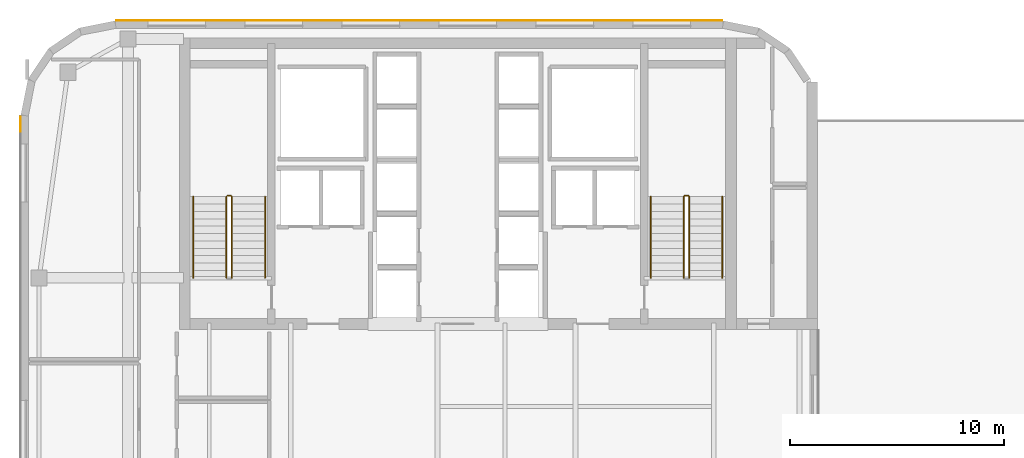
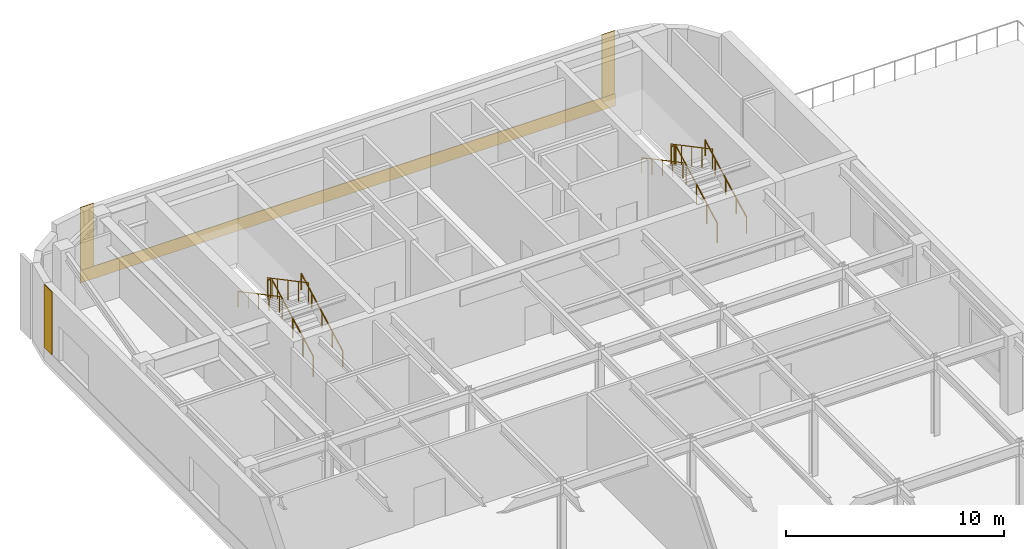
# One storey, part 10 of 10: 10 railings, 4 coverings.
"""IFC4 building model written with IfcOpenShell, lengths in metres."""

from ifc_helpers import new_model, si_unit, direction, frame, origin, origin_2d, place, context, subcontext, project, spatial, polyline, circle, outline, extrude, material, layer, layer_set, type_object, element, save


model = new_model("IFC4")

# Units and contexts
model_context = context("Model", 3, precision=1e-05, world=origin(), true_north=direction((0.0, 1.0)))
body_context = subcontext(model_context, "Body", "Model", "MODEL_VIEW")
ifc_project = project(units=[si_unit("LENGTHUNIT", "METRE"), si_unit("AREAUNIT", "SQUARE_METRE"), si_unit("VOLUMEUNIT", "CUBIC_METRE"), si_unit("PLANEANGLEUNIT", "RADIAN"), si_unit("MASSUNIT", "GRAM", prefix="KILO")], contexts=[model_context])

# Site, building, storey
site_placement = place(None, origin())
site = spatial("IfcSite", under=ifc_project, at=site_placement, CompositionType="ELEMENT")
building_placement = place(site_placement, origin())
building = spatial("IfcBuilding", under=site, at=building_placement, Name="Tolvann Quenvar Hotel", CompositionType="ELEMENT")
storey_placement = place(building_placement, frame((0.0, 0.0, 205.300048828125)))
storey = spatial("IfcBuildingStorey", under=building, at=storey_placement, Name="L54", CompositionType="ELEMENT", Elevation=205.300048828125)

# Coverings
ifc_material_1 = material(Name="Kiln-fired red architectural face brick cladding", Category="masonry")
ifc_layer_1 = layer(ifc_material_1, 0.0400390625)
ifc_layer_set_1 = layer_set([ifc_layer_1], Name="Kiln-fired red architectural face brick cladding")
covering_type_1 = type_object("IfcCoveringType", Name="COV_CLAD_BRICK_40", PredefinedType="CLADDING", material=ifc_layer_set_1)
covering_1_placement = place(storey_placement, frame((0.0, 0.0, 0.699951171875)))
element("IfcCovering", 1, at=covering_1_placement, inside=storey, type_object=covering_type_1, Name="Brick Pier Cladding (L54-E14-P1)", PredefinedType="CLADDING", context=body_context, shape_type="SweptSolid", body=[
    extrude(outline(polyline([(35.332763671875, 46.0), (34.6328125, 46.0), (34.6328125, 46.0400390625), (35.332763671875, 46.0400390625), (35.332763671875, 46.0)])), origin(), (0.0, 0.0, 1.0), 3.52001953125),
])
covering_2_placement = place(storey_placement, frame((0.0, 0.0, 0.699951171875)))
element("IfcCovering", 2, at=covering_2_placement, inside=storey, type_object=covering_type_1, Name="Brick Pier Cladding (L54-E14-P2)", PredefinedType="CLADDING", context=body_context, shape_type="SweptSolid", body=[
    extrude(outline(polyline([(7.76708984375, 46.0), (7.067138671875, 46.0), (7.067138671875, 46.0400390625), (7.76708984375, 46.0400390625), (7.76708984375, 46.0)])), origin(), (0.0, 0.0, 1.0), 3.52001953125),
])
covering_3_placement = place(storey_placement, frame((0.0, 0.0, 0.699951171875)))
element("IfcCovering", 3, at=covering_3_placement, inside=storey, type_object=covering_type_1, Name="Brick Pier Cladding (L54-E19-P1)", PredefinedType="CLADDING", context=body_context, shape_type="SweptSolid", body=[
    extrude(outline(polyline([(2.60009765625, 41.53271484375), (2.60009765625, 40.832763671875), (2.56005859375, 40.832763671875), (2.56005859375, 41.53271484375), (2.60009765625, 41.53271484375)])), origin(), (0.0, 0.0, 1.0), 3.52001953125),
])
ifc_material_2 = material(Name="Moulded buff architectural terracotta spandrel cladding", Category="masonry")
ifc_layer_2 = layer(ifc_material_2, 0.0400390625)
ifc_layer_set_2 = layer_set([ifc_layer_2], Name="Moulded buff architectural terracotta spandrel cladding")
covering_type_2 = type_object("IfcCoveringType", Name="COV_CLAD_TERRA_40", PredefinedType="CLADDING", material=ifc_layer_set_2)
covering_4_placement = place(storey_placement, origin())
element("IfcCovering", 4, at=covering_4_placement, inside=storey, type_object=covering_type_2, Name="Terracotta Spandrel Cladding (L54-E14)", PredefinedType="CLADDING", context=body_context, shape_type="SweptSolid", body=[
    extrude(outline(polyline([(35.3427734375, 46.0), (7.05712890625, 46.0), (7.05712890625, 46.0400390625), (35.3427734375, 46.0400390625), (35.3427734375, 46.0)])), origin(), (0.0, 0.0, 1.0), 0.699951171875),
])

# Railings
ifc_material_3 = material(Name="Brushed 316 stainless steel balustrade and handrail", Category="steel")
railing_type_1 = type_object("IfcRailingType", Name="GUARDRAIL", PredefinedType="GUARDRAIL", material=ifc_material_3)
railing_1_placement = place(storey_placement, frame((12.449951171875, 34.0, 0.183349609375)))
element("IfcRailing", 5, at=railing_1_placement, inside=storey, type_object=railing_type_1, Name="L54 ST-C1 stair guard 1", PredefinedType="GUARDRAIL", context=body_context, shape_type="SweptSolid", body=[
    extrude(circle(Radius=0.02392578125, at=origin_2d()), frame((0.0, 0.0, 1.09619140625), z_axis=(0.0, 0.883062754136, 0.469254911809), x_axis=(-1.0, 0.0, 0.0)), (0.0, 0.0, 1.0), 4.29736328125),
    extrude(circle(Radius=0.02099609375, at=origin_2d()), origin(), (0.0, 0.0, 1.0), 1.072021484375),
    extrude(circle(Radius=0.02099609375, at=origin_2d()), frame((0.0, 0.94873046875, 0.504150390625)), (0.0, 0.0, 1.0), 1.072021484375),
    extrude(circle(Radius=0.02099609375, at=origin_2d()), frame((0.0, 1.8974609375, 1.00830078125)), (0.0, 0.0, 1.0), 1.072021484375),
    extrude(circle(Radius=0.02099609375, at=origin_2d()), frame((0.0, 2.84619140625, 1.512451171875)), (0.0, 0.0, 1.0), 1.072021484375),
    extrude(circle(Radius=0.02099609375, at=origin_2d()), frame((0.0, 3.794921875, 2.0166015625)), (0.0, 0.0, 1.0), 1.072021484375),
])
railing_2_placement = place(storey_placement, frame((12.39990234375, 37.844970703125, 2.199951171875)))
element("IfcRailing", 6, at=railing_2_placement, inside=storey, type_object=railing_type_1, Name="L54 ST-C1 stair guard 2", PredefinedType="GUARDRAIL", context=body_context, shape_type="SweptSolid", body=[
    extrude(circle(Radius=0.02392578125, at=origin_2d()), frame((0.0, 0.0, 1.09619140625), z_axis=(-1.0, 0.0, 0.0), x_axis=(0.0, -1.0, 0.0)), (0.0, 0.0, 1.0), 0.14990234375),
    extrude(circle(Radius=0.02099609375, at=origin_2d()), origin(), (0.0, 0.0, 1.0), 1.072021484375),
    extrude(circle(Radius=0.02099609375, at=origin_2d()), frame((-0.14990234375, 0.0, 0.0)), (0.0, 0.0, 1.0), 1.072021484375),
])
railing_3_placement = place(storey_placement, frame((12.199951171875, 37.794921875, 2.38330078125)))
element("IfcRailing", 7, at=railing_3_placement, inside=storey, type_object=railing_type_1, Name="L54 ST-C1 stair guard 3", PredefinedType="GUARDRAIL", context=body_context, shape_type="SweptSolid", body=[
    extrude(circle(Radius=0.02392578125, at=origin_2d()), frame((0.0, 0.0, 1.09619140625), z_axis=(0.0, -0.883062754136, 0.469254911809), x_axis=(1.0, 0.0, 0.0)), (0.0, 0.0, 1.0), 4.29736328125),
    extrude(circle(Radius=0.02099609375, at=origin_2d()), origin(), (0.0, 0.0, 1.0), 1.072021484375),
    extrude(circle(Radius=0.02099609375, at=origin_2d()), frame((0.0, -0.94873046875, 0.504150390625)), (0.0, 0.0, 1.0), 1.072021484375),
    extrude(circle(Radius=0.02099609375, at=origin_2d()), frame((0.0, -1.8974609375, 1.00830078125)), (0.0, 0.0, 1.0), 1.072021484375),
    extrude(circle(Radius=0.02099609375, at=origin_2d()), frame((0.0, -2.84619140625, 1.512451171875)), (0.0, 0.0, 1.0), 1.072021484375),
    extrude(circle(Radius=0.02099609375, at=origin_2d()), frame((0.0, -3.794921875, 2.0166015625)), (0.0, 0.0, 1.0), 1.072021484375),
])
railing_4_placement = place(storey_placement, frame((33.800048828125, 34.0, 0.183349609375)))
element("IfcRailing", 8, at=railing_4_placement, inside=storey, type_object=railing_type_1, Name="L54 ST-C2 stair guard 1", PredefinedType="GUARDRAIL", context=body_context, shape_type="SweptSolid", body=[
    extrude(circle(Radius=0.02392578125, at=origin_2d()), frame((0.0, 0.0, 1.09619140625), z_axis=(0.0, 0.883062754136, 0.469254911809), x_axis=(-1.0, 0.0, 0.0)), (0.0, 0.0, 1.0), 4.29736328125),
    extrude(circle(Radius=0.02099609375, at=origin_2d()), origin(), (0.0, 0.0, 1.0), 1.072021484375),
    extrude(circle(Radius=0.02099609375, at=origin_2d()), frame((0.0, 0.94873046875, 0.504150390625)), (0.0, 0.0, 1.0), 1.072021484375),
    extrude(circle(Radius=0.02099609375, at=origin_2d()), frame((0.0, 1.8974609375, 1.00830078125)), (0.0, 0.0, 1.0), 1.072021484375),
    extrude(circle(Radius=0.02099609375, at=origin_2d()), frame((0.0, 2.84619140625, 1.512451171875)), (0.0, 0.0, 1.0), 1.072021484375),
    extrude(circle(Radius=0.02099609375, at=origin_2d()), frame((0.0, 3.794921875, 2.0166015625)), (0.0, 0.0, 1.0), 1.072021484375),
])
railing_5_placement = place(storey_placement, frame((33.75, 37.844970703125, 2.199951171875)))
element("IfcRailing", 9, at=railing_5_placement, inside=storey, type_object=railing_type_1, Name="L54 ST-C2 stair guard 2", PredefinedType="GUARDRAIL", context=body_context, shape_type="SweptSolid", body=[
    extrude(circle(Radius=0.02392578125, at=origin_2d()), frame((0.0, 0.0, 1.09619140625), z_axis=(-1.0, 0.0, 0.0), x_axis=(0.0, -1.0, 0.0)), (0.0, 0.0, 1.0), 0.14990234375),
    extrude(circle(Radius=0.02099609375, at=origin_2d()), origin(), (0.0, 0.0, 1.0), 1.072021484375),
    extrude(circle(Radius=0.02099609375, at=origin_2d()), frame((-0.14990234375, 0.0, 0.0)), (0.0, 0.0, 1.0), 1.072021484375),
])
railing_6_placement = place(storey_placement, frame((33.550048828125, 37.794921875, 2.38330078125)))
element("IfcRailing", 10, at=railing_6_placement, inside=storey, type_object=railing_type_1, Name="L54 ST-C2 stair guard 3", PredefinedType="GUARDRAIL", context=body_context, shape_type="SweptSolid", body=[
    extrude(circle(Radius=0.02392578125, at=origin_2d()), frame((0.0, 0.0, 1.09619140625), z_axis=(0.0, -0.883062754136, 0.469254911809), x_axis=(1.0, 0.0, 0.0)), (0.0, 0.0, 1.0), 4.29736328125),
    extrude(circle(Radius=0.02099609375, at=origin_2d()), origin(), (0.0, 0.0, 1.0), 1.072021484375),
    extrude(circle(Radius=0.02099609375, at=origin_2d()), frame((0.0, -0.94873046875, 0.504150390625)), (0.0, 0.0, 1.0), 1.072021484375),
    extrude(circle(Radius=0.02099609375, at=origin_2d()), frame((0.0, -1.8974609375, 1.00830078125)), (0.0, 0.0, 1.0), 1.072021484375),
    extrude(circle(Radius=0.02099609375, at=origin_2d()), frame((0.0, -2.84619140625, 1.512451171875)), (0.0, 0.0, 1.0), 1.072021484375),
    extrude(circle(Radius=0.02099609375, at=origin_2d()), frame((0.0, -3.794921875, 2.0166015625)), (0.0, 0.0, 1.0), 1.072021484375),
])
railing_type_2 = type_object("IfcRailingType", Name="HANDRAIL", PredefinedType="HANDRAIL", material=ifc_material_3)
railing_7_placement = place(storey_placement, frame((14.0, 34.0, 0.183349609375)))
element("IfcRailing", 11, at=railing_7_placement, inside=storey, type_object=railing_type_2, Name="L54 ST-C1 stair handrail 1", PredefinedType="HANDRAIL", context=body_context, shape_type="SweptSolid", body=[
    extrude(circle(Radius=0.02392578125, at=origin_2d()), frame((0.0, 0.0, 0.8759765625), z_axis=(0.0, 0.883062754136, 0.469254911809), x_axis=(-1.0, 0.0, 0.0)), (0.0, 0.0, 1.0), 4.29736328125),
    extrude(circle(Radius=0.02099609375, at=origin_2d()), origin(), (0.0, 0.0, 1.0), 0.851806640625),
    extrude(circle(Radius=0.02099609375, at=origin_2d()), frame((0.0, 0.94873046875, 0.504150390625)), (0.0, 0.0, 1.0), 0.851806640625),
    extrude(circle(Radius=0.02099609375, at=origin_2d()), frame((0.0, 1.8974609375, 1.00830078125)), (0.0, 0.0, 1.0), 0.851806640625),
    extrude(circle(Radius=0.02099609375, at=origin_2d()), frame((0.0, 2.84619140625, 1.512451171875)), (0.0, 0.0, 1.0), 0.851806640625),
    extrude(circle(Radius=0.02099609375, at=origin_2d()), frame((0.0, 3.794921875, 2.0166015625)), (0.0, 0.0, 1.0), 0.851806640625),
])
railing_8_placement = place(storey_placement, frame((10.64990234375, 37.794921875, 2.38330078125)))
element("IfcRailing", 12, at=railing_8_placement, inside=storey, type_object=railing_type_2, Name="L54 ST-C1 stair handrail 2", PredefinedType="HANDRAIL", context=body_context, shape_type="SweptSolid", body=[
    extrude(circle(Radius=0.02392578125, at=origin_2d()), frame((0.0, 0.0, 0.8759765625), z_axis=(0.0, -0.883062754136, 0.469254911809), x_axis=(1.0, 0.0, 0.0)), (0.0, 0.0, 1.0), 4.29736328125),
    extrude(circle(Radius=0.02099609375, at=origin_2d()), origin(), (0.0, 0.0, 1.0), 0.851806640625),
    extrude(circle(Radius=0.02099609375, at=origin_2d()), frame((0.0, -0.94873046875, 0.504150390625)), (0.0, 0.0, 1.0), 0.851806640625),
    extrude(circle(Radius=0.02099609375, at=origin_2d()), frame((0.0, -1.8974609375, 1.00830078125)), (0.0, 0.0, 1.0), 0.851806640625),
    extrude(circle(Radius=0.02099609375, at=origin_2d()), frame((0.0, -2.84619140625, 1.512451171875)), (0.0, 0.0, 1.0), 0.851806640625),
    extrude(circle(Radius=0.02099609375, at=origin_2d()), frame((0.0, -3.794921875, 2.0166015625)), (0.0, 0.0, 1.0), 0.851806640625),
])
railing_9_placement = place(storey_placement, frame((35.35009765625, 34.0, 0.183349609375)))
element("IfcRailing", 13, at=railing_9_placement, inside=storey, type_object=railing_type_2, Name="L54 ST-C2 stair handrail 1", PredefinedType="HANDRAIL", context=body_context, shape_type="SweptSolid", body=[
    extrude(circle(Radius=0.02392578125, at=origin_2d()), frame((0.0, 0.0, 0.8759765625), z_axis=(0.0, 0.883062754136, 0.469254911809), x_axis=(-1.0, 0.0, 0.0)), (0.0, 0.0, 1.0), 4.29736328125),
    extrude(circle(Radius=0.02099609375, at=origin_2d()), origin(), (0.0, 0.0, 1.0), 0.851806640625),
    extrude(circle(Radius=0.02099609375, at=origin_2d()), frame((0.0, 0.94873046875, 0.504150390625)), (0.0, 0.0, 1.0), 0.851806640625),
    extrude(circle(Radius=0.02099609375, at=origin_2d()), frame((0.0, 1.8974609375, 1.00830078125)), (0.0, 0.0, 1.0), 0.851806640625),
    extrude(circle(Radius=0.02099609375, at=origin_2d()), frame((0.0, 2.84619140625, 1.512451171875)), (0.0, 0.0, 1.0), 0.851806640625),
    extrude(circle(Radius=0.02099609375, at=origin_2d()), frame((0.0, 3.794921875, 2.0166015625)), (0.0, 0.0, 1.0), 0.851806640625),
])
railing_10_placement = place(storey_placement, frame((32.0, 37.794921875, 2.38330078125)))
element("IfcRailing", 14, at=railing_10_placement, inside=storey, type_object=railing_type_2, Name="L54 ST-C2 stair handrail 2", PredefinedType="HANDRAIL", context=body_context, shape_type="SweptSolid", body=[
    extrude(circle(Radius=0.02392578125, at=origin_2d()), frame((0.0, 0.0, 0.8759765625), z_axis=(0.0, -0.883062754136, 0.469254911809), x_axis=(1.0, 0.0, 0.0)), (0.0, 0.0, 1.0), 4.29736328125),
    extrude(circle(Radius=0.02099609375, at=origin_2d()), origin(), (0.0, 0.0, 1.0), 0.851806640625),
    extrude(circle(Radius=0.02099609375, at=origin_2d()), frame((0.0, -0.94873046875, 0.504150390625)), (0.0, 0.0, 1.0), 0.851806640625),
    extrude(circle(Radius=0.02099609375, at=origin_2d()), frame((0.0, -1.8974609375, 1.00830078125)), (0.0, 0.0, 1.0), 0.851806640625),
    extrude(circle(Radius=0.02099609375, at=origin_2d()), frame((0.0, -2.84619140625, 1.512451171875)), (0.0, 0.0, 1.0), 0.851806640625),
    extrude(circle(Radius=0.02099609375, at=origin_2d()), frame((0.0, -3.794921875, 2.0166015625)), (0.0, 0.0, 1.0), 0.851806640625),
])

save(model, "model.ifc")
